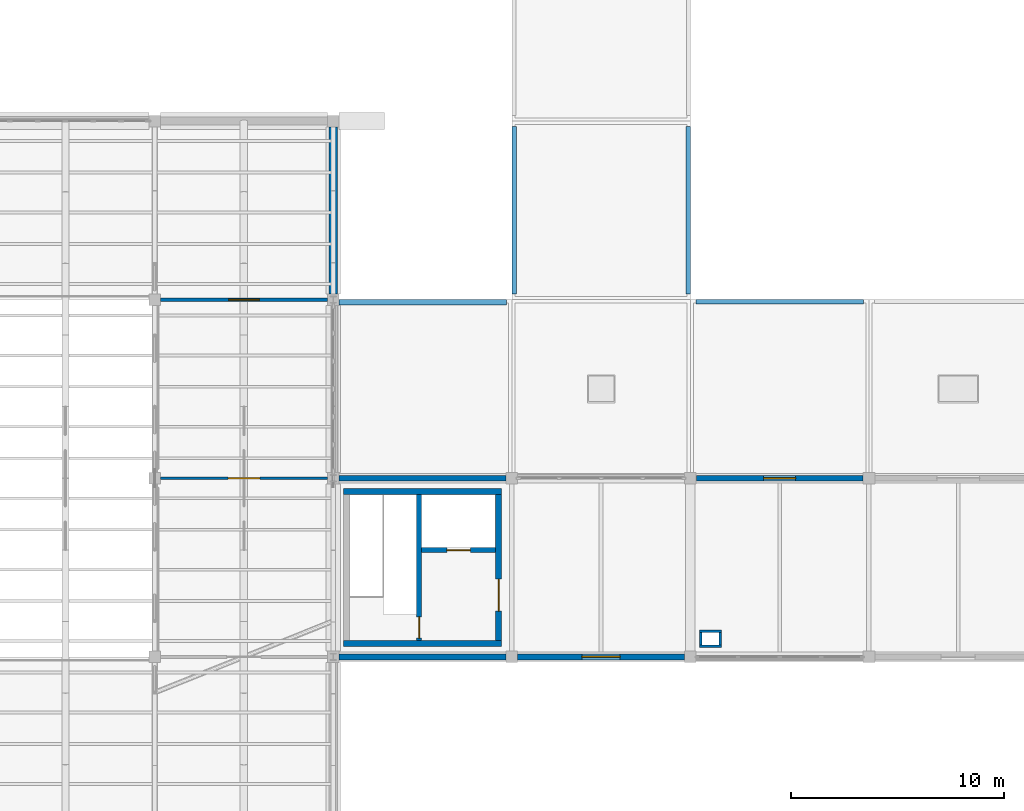
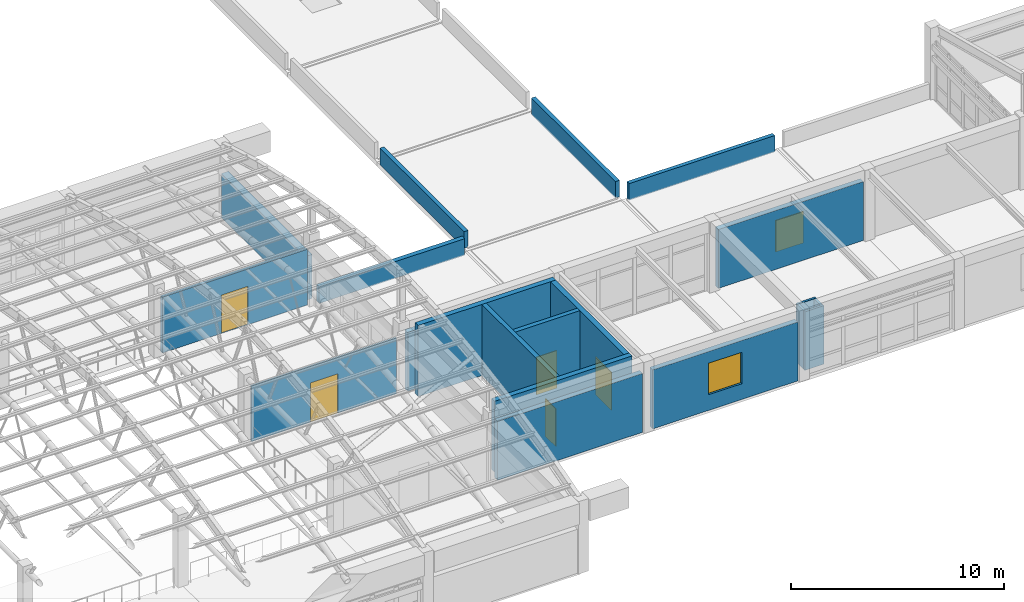
# One storey, part 64 of 74: 20 walls, 5 doors, 2 windows, 7 openings.
"""IFC4 building model written with IfcOpenShell, lengths in metres."""

from ifc_helpers import new_model, si_unit, direction, frame, frame_2d, origin, place, context, subcontext, project, spatial, rectangle, extrude, material, layer, layer_set, type_object, element, fill, save


model = new_model("IFC4")

# Units and contexts
model_context = context("Model", 3, precision=1e-05, world=origin(), true_north=direction((0.0, 1.0)))
body_context = subcontext(model_context, "Body", "Model", "MODEL_VIEW")
ifc_project = project(units=[si_unit("LENGTHUNIT", "METRE"), si_unit("AREAUNIT", "SQUARE_METRE"), si_unit("VOLUMEUNIT", "CUBIC_METRE"), si_unit("PLANEANGLEUNIT", "RADIAN"), si_unit("MASSUNIT", "GRAM", prefix="KILO")], contexts=[model_context])

# Site, building, storey
site_placement = place(None, origin())
site = spatial("IfcSite", under=ifc_project, at=site_placement, CompositionType="ELEMENT")
building_placement = place(site_placement, origin())
building = spatial("IfcBuilding", under=site, at=building_placement, Name="Porcellanite Civic Hall", CompositionType="ELEMENT")
storey_placement = place(building_placement, frame((0.0, 0.0, 14.760009765625)))
storey = spatial("IfcBuildingStorey", under=building, at=storey_placement, Name="L03", CompositionType="ELEMENT", Elevation=14.760009765625)

# Wall, opening, door
ifc_material_1 = material(Name="Concrete N40 (40 MPa)", Category="concrete")
ifc_layer_1 = layer(ifc_material_1, 0.239990234375)
ifc_layer_set_1 = layer_set([ifc_layer_1], Name="Concrete N40 (40 MPa)")
wall_type_1 = type_object("IfcWallType", Name="CW-SH240", PredefinedType="SHEAR", material=ifc_layer_set_1)
wall_1_placement = place(storey_placement, frame((113.239990234375, 51.159912109375, 0.0), z_axis=(0.0, 0.0, 1.0), x_axis=(0.0, 1.0, 0.0)))
wall_1 = element("IfcWall", 1, at=wall_1_placement, inside=storey, type_object=wall_type_1, Name="Core divider C6 L03", PredefinedType="SHEAR", context=body_context, shape_type="SweptSolid", body=[
    extrude(rectangle(XDim=6.880126953125, YDim=0.239990234375, at=frame_2d((3.43994140625, 0.0))), origin(), (0.0, 0.0, 1.0), 4.070068359375),
])
opening_1_placement = place(wall_1_placement, frame((0.1201171875, 0.0, 0.0)))
opening_1 = element("IfcOpeningElement", 2, at=opening_1_placement, cuts=wall_1, Name="Opening FD-C6-L03-ST", PredefinedType="OPENING", context=body_context, shape_type="SweptSolid", body=[
    extrude(rectangle(XDim=1.0, YDim=2.14990234375, at=frame_2d((0.5, 1.074951171875))), frame((0.0, 0.1201171875, 0.0), z_axis=(0.0, -1.0, 0.0), x_axis=(1.0, 0.0, 0.0)), (0.0, 0.0, 1.0), 0.239990234375),
])
ifc_material_2 = material(Name="Fire-rated solid-core hardwood timber", Category="wood")
door_type_1 = type_object("IfcDoorType", Name="DR-FD100", OperationType="NOTDEFINED", PredefinedType="DOOR", material=ifc_material_2)
door_1_placement = place(opening_1_placement, origin())
door_1 = element("IfcDoor", 3, at=door_1_placement, inside=storey, type_object=door_type_1, Name="Fire stair door FD-C6-L03-ST", OperationType="SINGLE_SWING_LEFT", OverallHeight=2.14990234375, OverallWidth=1.0, PredefinedType="DOOR", context=body_context, shape_type="SweptSolid", body=[
    extrude(rectangle(XDim=1.0, YDim=2.14990234375, at=frame_2d((0.5, 1.074951171875))), frame((0.0, 0.02490234375, 0.0), z_axis=(0.0, -1.0, 0.0), x_axis=(1.0, 0.0, 0.0)), (0.0, 0.0, 1.0), 0.050048828125),
])
fill(opening_1, door_1)

wall_2_placement = place(storey_placement, frame((113.360107421875, 55.419921875, 0.0), z_axis=(0.0, 0.0, 1.0), x_axis=(1.0, 0.0, 0.0)))
wall_2 = element("IfcWall", 4, at=wall_2_placement, inside=storey, type_object=wall_type_1, Name="Lift shaft wall C6 L03", PredefinedType="SHEAR", context=body_context, shape_type="SweptSolid", body=[
    extrude(rectangle(XDim=3.47998046875, YDim=0.239990234375, at=frame_2d((1.739990234375, 0.0))), origin(), (0.0, 0.0, 1.0), 4.070068359375),
])
opening_2_placement = place(wall_2_placement, frame((1.18994140625, 0.0, 0.0)))
opening_2 = element("IfcOpeningElement", 5, at=opening_2_placement, cuts=wall_2, Name="Opening LD-06", PredefinedType="OPENING", context=body_context, shape_type="SweptSolid", body=[
    extrude(rectangle(XDim=1.10009765625, YDim=2.14990234375, at=frame_2d((0.550048828125, 1.074951171875))), frame((0.0, 0.1201171875, 0.0), z_axis=(0.0, -1.0, 0.0), x_axis=(1.0, 0.0, 0.0)), (0.0, 0.0, 1.0), 0.239990234375),
])
ifc_material_3 = material(Name="Brushed stainless steel 316", Category="steel")
door_type_2 = type_object("IfcDoorType", Name="DR-LD110", OperationType="DOUBLE_DOOR_SLIDING", PredefinedType="DOOR", material=ifc_material_3)
door_2_placement = place(opening_2_placement, origin())
door_2 = element("IfcDoor", 6, at=door_2_placement, inside=storey, type_object=door_type_2, Name="Lift landing sliding door LD-06 L03", OperationType="DOUBLE_DOOR_SLIDING", OverallHeight=2.14990234375, OverallWidth=1.10009765625, PredefinedType="DOOR", context=body_context, shape_type="SweptSolid", body=[
    extrude(rectangle(XDim=1.10009765625, YDim=2.14990234375, at=frame_2d((0.550048828125, 1.074951171875))), frame((0.0, 0.02490234375, 0.0), z_axis=(0.0, -1.0, 0.0), x_axis=(1.0, 0.0, 0.0)), (0.0, 0.0, 1.0), 0.050048828125),
])
fill(opening_2, door_2)

# Walls
ifc_material_4 = material(Name="Concrete N40 (40 MPa)", Category="concrete")
ifc_layer_2 = layer(ifc_material_4, 0.280029296875)
ifc_layer_set_2 = layer_set([ifc_layer_2], Name="Concrete N40 (40 MPa)")
wall_type_2 = type_object("IfcWallType", Name="CW-SH280", PredefinedType="SHEAR", material=ifc_layer_set_2)
for number, where, z_axis, x_axis, name in (
    (7, (117.1201171875, 51.02001953125, 0.0), (0.0, 0.0, 1.0), (-1.0, 0.0, 0.0), "Core wall C6 L03 S"),
    (8, (109.679931640625, 58.179931640625, 0.0), (0.0, 0.0, 1.0), (1.0, 0.0, 0.0), "Core wall C6 L03 N"),
):
    element("IfcWall", number, at=place(storey_placement, frame(where, z_axis=z_axis, x_axis=x_axis)), inside=storey, type_object=wall_type_2, Name=name, PredefinedType="SHEAR", context=body_context, shape_type="SweptSolid", body=[
        extrude(rectangle(XDim=7.440185546875, YDim=0.280029296875, at=frame_2d((3.72021484375, 0.0))), origin(), (0.0, 0.0, 1.0), 4.070068359375),
    ])

# Wall, opening, door
wall_3_placement = place(storey_placement, frame((116.97998046875, 58.0400390625, 0.0), z_axis=(0.0, 0.0, 1.0), x_axis=(0.0, -1.0, 0.0)))
wall_3 = element("IfcWall", 9, at=wall_3_placement, inside=storey, type_object=wall_type_2, Name="Core wall C6 L03 E", PredefinedType="SHEAR", context=body_context, shape_type="SweptSolid", body=[
    extrude(rectangle(XDim=6.880126953125, YDim=0.280029296875, at=frame_2d((3.43994140625, 0.0))), origin(), (0.0, 0.0, 1.0), 4.070068359375),
])
opening_3_placement = place(wall_3_placement, frame((3.989990234375, 0.0, 0.0)))
opening_3 = element("IfcOpeningElement", 10, at=opening_3_placement, cuts=wall_3, Name="Opening FD-C6-L03-LB", PredefinedType="OPENING", context=body_context, shape_type="SweptSolid", body=[
    extrude(rectangle(XDim=1.5, YDim=2.14990234375, at=frame_2d((0.75, 1.074951171875))), frame((0.0, 0.14013671875, 0.0), z_axis=(0.0, -1.0, 0.0), x_axis=(1.0, 0.0, 0.0)), (0.0, 0.0, 1.0), 0.280029296875),
])
ifc_material_5 = material(Name="Fire-rated steel and Georgian wired glass", Category="steel")
door_type_3 = type_object("IfcDoorType", Name="DR-FD150", OperationType="DOUBLE_DOOR_SINGLE_SWING", PredefinedType="DOOR", material=ifc_material_5)
door_3_placement = place(opening_3_placement, origin())
door_3 = element("IfcDoor", 11, at=door_3_placement, inside=storey, type_object=door_type_3, Name="Fire lobby double door FD-C6-L03-LB", OperationType="DOUBLE_DOOR_SINGLE_SWING", OverallHeight=2.14990234375, OverallWidth=1.5, PredefinedType="DOOR", context=body_context, shape_type="SweptSolid", body=[
    extrude(rectangle(XDim=1.5, YDim=2.14990234375, at=frame_2d((0.75, 1.074951171875))), frame((0.0, 0.02490234375, 0.0), z_axis=(0.0, -1.0, 0.0), x_axis=(1.0, 0.0, 0.0)), (0.0, 0.0, 1.0), 0.050048828125),
])
fill(opening_3, door_3)

# Walls
ifc_material_6 = material(Name="Precast concrete N40 (40 MPa)", Category="concrete")
ifc_layer_3 = layer(ifc_material_6, 0.280029296875)
ifc_layer_set_3 = layer_set([ifc_layer_3], Name="Precast concrete N40 (40 MPa)")
wall_type_3 = type_object("IfcWallType", Name="EW-CLO280", PredefinedType="SOLIDWALL", material=ifc_layer_set_3)
for number, where, z_axis, x_axis, name in (
    (12, (117.323974609375, 50.39990234375, 0.0), (0.0, 0.0, 1.0), (-1.0, 0.0, 0.0), "Exterior wall L03 S 14-7"),
    (13, (109.47607421875, 58.800048828125, 0.0), (0.0, 0.0, 1.0), (1.0, 0.0, 0.0), "Exterior wall L03 N 14-7"),
):
    element("IfcWall", number, at=place(storey_placement, frame(where, z_axis=z_axis, x_axis=x_axis)), inside=storey, type_object=wall_type_3, Name=name, PredefinedType="SOLIDWALL", context=body_context, shape_type="SweptSolid", body=[
        extrude(rectangle(XDim=7.847900390625, YDim=0.280029296875, at=frame_2d((3.923828125, 0.0))), origin(), (0.0, 0.0, 1.0), 3.369873046875),
    ])

# Wall, opening, window
wall_4_placement = place(storey_placement, frame((125.72412109375, 50.39990234375, 0.0), z_axis=(0.0, 0.0, 1.0), x_axis=(-1.0, 0.0, 0.0)))
wall_4 = element("IfcWall", 14, at=wall_4_placement, inside=storey, type_object=wall_type_3, Name="Exterior wall L03 S 15-7", PredefinedType="SOLIDWALL", context=body_context, shape_type="SweptSolid", body=[
    extrude(rectangle(XDim=7.84814453125, YDim=0.280029296875, at=frame_2d((3.924072265625, 0.0))), origin(), (0.0, 0.0, 1.0), 3.369873046875),
])
opening_4_placement = place(wall_4_placement, frame((3.02392578125, 0.0, 0.89990234375)))
opening_4 = element("IfcOpeningElement", 15, at=opening_4_placement, cuts=wall_4, Name="Opening W01", PredefinedType="OPENING", context=body_context, shape_type="SweptSolid", body=[
    extrude(rectangle(XDim=1.800048828125, YDim=1.800048828125, at=frame_2d((0.89990234375, 0.89990234375))), frame((0.0, 0.14013671875, 0.0), z_axis=(0.0, -1.0, 0.0), x_axis=(1.0, 0.0, 0.0)), (0.0, 0.0, 1.0), 0.280029296875),
])
ifc_material_7 = material(Name="Cyclone laminated low-E glazing in anodised aluminium frame", Category="aluminium")
window_type_1 = type_object("IfcWindowType", Name="WN-01", PartitioningType="DOUBLE_PANEL_VERTICAL", PredefinedType="WINDOW", material=ifc_material_7)
window_1_placement = place(opening_4_placement, origin())
window_1 = element("IfcWindow", 16, at=window_1_placement, inside=storey, type_object=window_type_1, Name="Window W01 L03 S 15-7", OverallHeight=1.800048828125, OverallWidth=1.800048828125, PartitioningType="SINGLE_PANEL", PredefinedType="WINDOW", context=body_context, shape_type="SweptSolid", body=[
    extrude(rectangle(XDim=1.800048828125, YDim=1.800048828125, at=frame_2d((0.89990234375, 0.89990234375))), frame((0.0, 0.030029296875, 0.0), z_axis=(0.0, -1.0, 0.0), x_axis=(1.0, 0.0, 0.0)), (0.0, 0.0, 1.0), 0.06005859375),
])
fill(opening_4, window_1)

wall_5_placement = place(storey_placement, frame((126.27587890625, 58.800048828125, 0.0), z_axis=(0.0, 0.0, 1.0), x_axis=(1.0, 0.0, 0.0)))
wall_5 = element("IfcWall", 17, at=wall_5_placement, inside=storey, type_object=wall_type_3, Name="Exterior wall L03 N 16-7", PredefinedType="SOLIDWALL", context=body_context, shape_type="SweptSolid", body=[
    extrude(rectangle(XDim=7.84814453125, YDim=0.280029296875, at=frame_2d((3.924072265625, 0.0))), origin(), (0.0, 0.0, 1.0), 3.369873046875),
])
opening_5_placement = place(wall_5_placement, frame((3.174072265625, 0.0, 0.89990234375)))
opening_5 = element("IfcOpeningElement", 18, at=opening_5_placement, cuts=wall_5, Name="Opening W04", PredefinedType="OPENING", context=body_context, shape_type="SweptSolid", body=[
    extrude(rectangle(XDim=1.5, YDim=1.800048828125, at=frame_2d((0.75, 0.89990234375))), frame((0.0, 0.14013671875, 0.0), z_axis=(0.0, -1.0, 0.0), x_axis=(1.0, 0.0, 0.0)), (0.0, 0.0, 1.0), 0.280029296875),
])
ifc_material_8 = material(Name="Cyclone laminated low-E glazing in anodised aluminium frame", Category="aluminium")
window_type_2 = type_object("IfcWindowType", Name="WN-04", PartitioningType="SINGLE_PANEL", PredefinedType="WINDOW", material=ifc_material_8)
window_2_placement = place(opening_5_placement, origin())
window_2 = element("IfcWindow", 19, at=window_2_placement, inside=storey, type_object=window_type_2, Name="Window W04 L03 N 16-7", OverallHeight=1.800048828125, OverallWidth=1.5, PartitioningType="SINGLE_PANEL", PredefinedType="WINDOW", context=body_context, shape_type="SweptSolid", body=[
    extrude(rectangle(XDim=1.5, YDim=1.800048828125, at=frame_2d((0.75, 0.89990234375))), frame((0.0, 0.030029296875, 0.0), z_axis=(0.0, -1.0, 0.0), x_axis=(1.0, 0.0, 0.0)), (0.0, 0.0, 1.0), 0.06005859375),
])
fill(opening_5, window_2)

# Walls
ifc_material_9 = material(Name="Precast concrete N40 (40 MPa)", Category="concrete")
ifc_layer_4 = layer(ifc_material_9, 0.3798828125)
ifc_layer_set_4 = layer_set([ifc_layer_4], Name="Precast concrete N40 (40 MPa)")
wall_type_4 = type_object("IfcWallType", Name="EW-DRUM380", PredefinedType="SOLIDWALL", material=ifc_layer_set_4)
wall_6_placement = place(storey_placement, frame((109.199951171875, 75.323974609375, 0.0), z_axis=(0.0, 0.0, 1.0), x_axis=(0.0, -1.0, 0.0)))
element("IfcWall", 20, at=wall_6_placement, inside=storey, type_object=wall_type_4, Name="Exterior wall L03 E 13-9", PredefinedType="SOLIDWALL", context=body_context, shape_type="SweptSolid", body=[
    extrude(rectangle(XDim=7.847900390625, YDim=0.3798828125, at=frame_2d((3.923828125, 0.0))), origin(), (0.0, 0.0, 1.0), 2.52001953125),
])
ifc_material_10 = material(Name="Fire-rated shaftwall plasterboard on steel studs", Category="steel")
ifc_layer_5 = layer(ifc_material_10, 0.117919921875)
ifc_layer_set_5 = layer_set([ifc_layer_5], Name="Fire-rated shaftwall plasterboard on steel studs")
wall_type_5 = type_object("IfcWallType", Name="IW-FR118", PredefinedType="PARTITIONING", material=ifc_layer_set_5)
for number, where, z_axis, x_axis, name in (
    (21, (126.431884765625, 50.89111328125, 0.0), (0.0, 0.0, 1.0), (1.0, 0.0, 0.0), "Fire riser shaftwall S L03 15-6"),
    (22, (126.431884765625, 51.60888671875, 0.0), (0.0, 0.0, 1.0), (1.0, 0.0, 0.0), "Fire riser shaftwall N L03 15-6"),
):
    element("IfcWall", number, at=place(storey_placement, frame(where, z_axis=z_axis, x_axis=x_axis)), inside=storey, type_object=wall_type_5, Name=name, PredefinedType="PARTITIONING", context=body_context, shape_type="SweptSolid", body=[
        extrude(rectangle(XDim=1.0361328125, YDim=0.117919921875, at=frame_2d((0.51806640625, 0.0))), origin(), (0.0, 0.0, 1.0), 3.35009765625),
    ])
for number, where, z_axis, x_axis, name in (
    (23, (126.490966796875, 50.949951171875, 0.0), (0.0, 0.0, 1.0), (0.0, 1.0, 0.0), "Fire riser shaftwall W L03 15-6"),
    (24, (127.408935546875, 50.949951171875, 0.0), (0.0, 0.0, 1.0), (0.0, 1.0, 0.0), "Fire riser shaftwall E L03 15-6"),
):
    element("IfcWall", number, at=place(storey_placement, frame(where, z_axis=z_axis, x_axis=x_axis)), inside=storey, type_object=wall_type_5, Name=name, PredefinedType="PARTITIONING", context=body_context, shape_type="SweptSolid", body=[
        extrude(rectangle(XDim=0.60009765625, YDim=0.117919921875, at=frame_2d((0.300048828125, 0.0))), origin(), (0.0, 0.0, 1.0), 3.35009765625),
    ])

# Wall, opening, door
ifc_material_11 = material(Name="Insulated acoustic plasterboard on light-gauge steel studs", Category="steel")
ifc_layer_6 = layer(ifc_material_11, 0.094970703125)
ifc_layer_set_6 = layer_set([ifc_layer_6], Name="Insulated acoustic plasterboard on light-gauge steel studs")
wall_type_6 = type_object("IfcWallType", Name="IW-PT095", PredefinedType="PARTITIONING", material=ifc_layer_set_6)
wall_7_placement = place(storey_placement, frame((101.076904296875, 58.800048828125, 0.0), z_axis=(0.0, 0.0, 1.0), x_axis=(1.0, 0.0, 0.0)))
wall_7 = element("IfcWall", 25, at=wall_7_placement, inside=storey, type_object=wall_type_6, Name="Partition L03 H 13-7", PredefinedType="PARTITIONING", context=body_context, shape_type="SweptSolid", body=[
    extrude(rectangle(XDim=7.84619140625, YDim=0.094970703125, at=frame_2d((3.923095703125, 0.0))), origin(), (0.0, 0.0, 1.0), 3.18994140625),
])
opening_6_placement = place(wall_7_placement, frame((3.173095703125, 0.0, 0.0)))
opening_6 = element("IfcOpeningElement", 26, at=opening_6_placement, cuts=wall_7, Name="Opening D-L03-423", PredefinedType="OPENING", context=body_context, shape_type="SweptSolid", body=[
    extrude(rectangle(XDim=1.5, YDim=2.25, at=frame_2d((0.75, 1.125))), frame((0.0, 0.04736328125, 0.0), z_axis=(0.0, -1.0, 0.0), x_axis=(1.0, 0.0, 0.0)), (0.0, 0.0, 1.0), 0.094970703125),
])
ifc_material_12 = material(Name="Acoustic spotted-gum timber and safety glass", Category="wood")
door_type_4 = type_object("IfcDoorType", Name="DR-AS150", OperationType="DOUBLE_DOOR_SINGLE_SWING", PredefinedType="DOOR", material=ifc_material_12)
door_4_placement = place(opening_6_placement, origin())
door_4 = element("IfcDoor", 27, at=door_4_placement, inside=storey, type_object=door_type_4, Name="Interior door D-L03-423", OperationType="DOUBLE_DOOR_SINGLE_SWING", OverallHeight=2.25, OverallWidth=1.5, PredefinedType="DOOR", context=body_context, shape_type="SweptSolid", body=[
    extrude(rectangle(XDim=1.5, YDim=2.25, at=frame_2d((0.75, 1.125))), frame((0.0, 0.02490234375, 0.0), z_axis=(0.0, -1.0, 0.0), x_axis=(1.0, 0.0, 0.0)), (0.0, 0.0, 1.0), 0.050048828125),
])
fill(opening_6, door_4)

ifc_material_13 = material(Name="Insulated acoustic plasterboard on light-gauge steel studs", Category="steel")
ifc_layer_7 = layer(ifc_material_13, 0.1650390625)
ifc_layer_set_7 = layer_set([ifc_layer_7], Name="Insulated acoustic plasterboard on light-gauge steel studs")
wall_type_7 = type_object("IfcWallType", Name="IW-PT165", PredefinedType="PARTITIONING", material=ifc_layer_set_7)
wall_8_placement = place(storey_placement, frame((101.076904296875, 67.199951171875, 0.0), z_axis=(0.0, 0.0, 1.0), x_axis=(1.0, 0.0, 0.0)))
wall_8 = element("IfcWall", 28, at=wall_8_placement, inside=storey, type_object=wall_type_7, Name="Partition L03 H 13-8", PredefinedType="PARTITIONING", context=body_context, shape_type="SweptSolid", body=[
    extrude(rectangle(XDim=7.84619140625, YDim=0.1650390625, at=frame_2d((3.923095703125, 0.0))), origin(), (0.0, 0.0, 1.0), 3.18994140625),
])
opening_7_placement = place(wall_8_placement, frame((3.197998046875, 0.0, 0.0)))
opening_7 = element("IfcOpeningElement", 29, at=opening_7_placement, cuts=wall_8, Name="Opening D-L03-424", PredefinedType="OPENING", context=body_context, shape_type="SweptSolid", body=[
    extrude(rectangle(XDim=1.449951171875, YDim=2.199951171875, at=frame_2d((0.72509765625, 1.10009765625))), frame((0.0, 0.08251953125, 0.0), z_axis=(0.0, -1.0, 0.0), x_axis=(1.0, 0.0, 0.0)), (0.0, 0.0, 1.0), 0.1650390625),
])
ifc_material_14 = material(Name="Acoustic spotted-gum timber and safety glass", Category="wood")
door_type_5 = type_object("IfcDoorType", Name="DR-AS145", OperationType="DOUBLE_DOOR_SINGLE_SWING", PredefinedType="DOOR", material=ifc_material_14)
door_5_placement = place(opening_7_placement, origin())
door_5 = element("IfcDoor", 30, at=door_5_placement, inside=storey, type_object=door_type_5, Name="Interior door D-L03-424", OperationType="DOUBLE_DOOR_SINGLE_SWING", OverallHeight=2.199951171875, OverallWidth=1.449951171875, PredefinedType="DOOR", context=body_context, shape_type="SweptSolid", body=[
    extrude(rectangle(XDim=1.449951171875, YDim=2.199951171875, at=frame_2d((0.72509765625, 1.10009765625))), frame((0.0, 0.02490234375, 0.0), z_axis=(0.0, -1.0, 0.0), x_axis=(1.0, 0.0, 0.0)), (0.0, 0.0, 1.0), 0.050048828125),
])
fill(opening_7, door_5)

# Walls
ifc_material_15 = material(Name="Precast concrete N40 (40 MPa)", Category="concrete")
ifc_layer_8 = layer(ifc_material_15, 0.25)
ifc_layer_set_8 = layer_set([ifc_layer_8], Name="Precast concrete N40 (40 MPa)")
wall_type_8 = type_object("IfcWallType", Name="WP-PAR1", PredefinedType="PARAPET", material=ifc_layer_set_8)
wall_9_placement = place(storey_placement, frame((109.4599609375, 67.074951171875, 0.0), z_axis=(0.0, 0.0, 1.0), x_axis=(1.0, 0.0, 0.0)))
element("IfcWall", 31, at=wall_9_placement, inside=storey, type_object=wall_type_8, Name="Roof parapet L03 N 14-8", PredefinedType="PARAPET", context=body_context, shape_type="SweptSolid", body=[
    extrude(rectangle(XDim=7.880126953125, YDim=0.25, at=frame_2d((3.93994140625, 0.0))), origin(), (0.0, 0.0, 1.0), 0.949951171875),
])
ifc_material_16 = material(Name="Precast concrete N40 (40 MPa)", Category="concrete")
ifc_layer_9 = layer(ifc_material_16, 0.2099609375)
ifc_layer_set_9 = layer_set([ifc_layer_9], Name="Precast concrete N40 (40 MPa)")
wall_type_9 = type_object("IfcWallType", Name="WP-PAR3", PredefinedType="PARAPET", material=ifc_layer_set_9)
for number, where, z_axis, x_axis, name in (
    (32, (117.705078125, 67.4599609375, 0.0), (0.0, 0.0, 1.0), (0.0, 1.0, 0.0), "Roof parapet L03 W 15-9"),
    (33, (125.89501953125, 75.340087890625, 0.0), (0.0, 0.0, 1.0), (0.0, -1.0, 0.0), "Roof parapet L03 E 15-9"),
):
    element("IfcWall", number, at=place(storey_placement, frame(where, z_axis=z_axis, x_axis=x_axis)), inside=storey, type_object=wall_type_9, Name=name, PredefinedType="PARAPET", context=body_context, shape_type="SweptSolid", body=[
        extrude(rectangle(XDim=7.880126953125, YDim=0.2099609375, at=frame_2d((3.93994140625, 0.0))), origin(), (0.0, 0.0, 1.0), 0.949951171875),
    ])
wall_10_placement = place(storey_placement, frame((126.260009765625, 67.094970703125, 0.0), z_axis=(0.0, 0.0, 1.0), x_axis=(1.0, 0.0, 0.0)))
element("IfcWall", 34, at=wall_10_placement, inside=storey, type_object=wall_type_9, Name="Roof parapet L03 N 16-8", PredefinedType="PARAPET", context=body_context, shape_type="SweptSolid", body=[
    extrude(rectangle(XDim=7.8798828125, YDim=0.2099609375, at=frame_2d((3.93994140625, 0.0))), origin(), (0.0, 0.0, 1.0), 0.949951171875),
])

save(model, "model.ifc")
